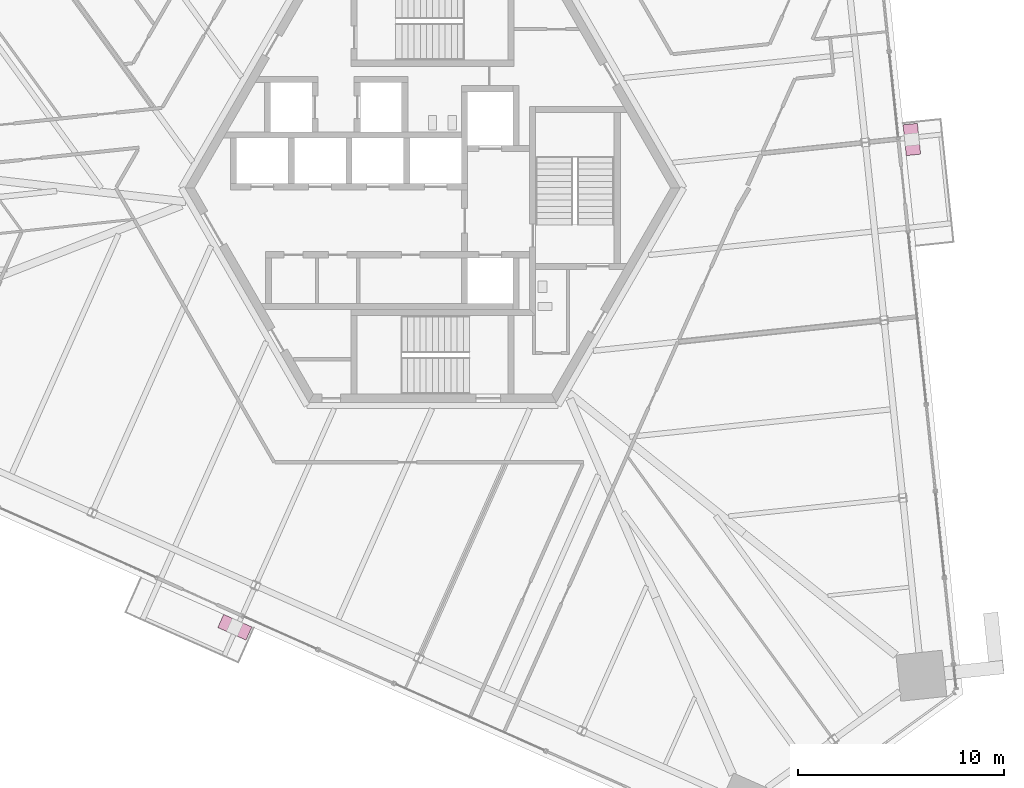
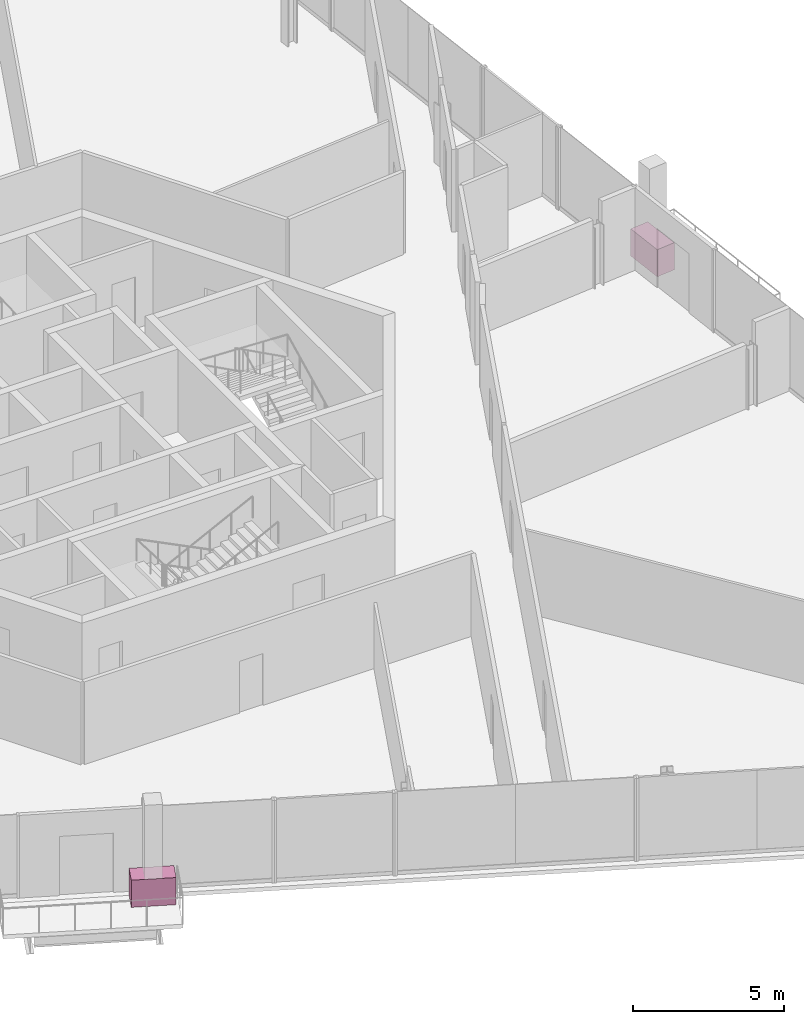
# One storey, part 24 of 25: 2 furniture elements.
"""IFC4 building model written with IfcOpenShell, lengths in metres."""

from ifc_helpers import new_model, si_unit, direction, frame, origin, origin_2d, place, context, subcontext, project, spatial, rectangle, extrude, source, transform, mapped, material, type_object, element, save


model = new_model("IFC4")

# Units and contexts
model_context = context("Model", 3, precision=1e-05, world=origin(), true_north=direction((0.0, 1.0)))
body_context = subcontext(model_context, "Body", "Model", "MODEL_VIEW")
ifc_project = project(units=[si_unit("LENGTHUNIT", "METRE"), si_unit("AREAUNIT", "SQUARE_METRE"), si_unit("VOLUMEUNIT", "CUBIC_METRE"), si_unit("PLANEANGLEUNIT", "RADIAN"), si_unit("MASSUNIT", "GRAM", prefix="KILO")], contexts=[model_context])

# Site, building, storey
site_placement = place(None, origin())
site = spatial("IfcSite", under=ifc_project, at=site_placement, CompositionType="ELEMENT")
building_placement = place(site_placement, origin())
building = spatial("IfcBuilding", under=site, at=building_placement, Name="Triune Harvest Tower", CompositionType="ELEMENT")
storey_placement = place(building_placement, frame((0.0, 0.0, 90.89990234375)))
storey = spatial("IfcBuildingStorey", under=building, at=storey_placement, Name="L22", CompositionType="ELEMENT", Elevation=90.89990234375)

# Furniture
ifc_material = material(Name="Concrete 40 MPa", Category="concrete")
furniture_type = type_object("IfcFurnitureType", Name="PB-1 structural planter", AssemblyPlace="SITE", PredefinedType="USERDEFINED", material=ifc_material)
shared_shape = source(origin(), body_context, "Body", "SweptSolid", [
    extrude(rectangle(XDim=1.5, YDim=0.699951171875, at=origin_2d()), origin(), (0.0, 0.0, 1.0), 1.10009765625),
])
for number, where, z_axis, x_axis, name in (
    (1, (23.2294921875, 2.34814453125, 0.0), (0.0, 0.0, 1.0), (-0.104527536558, 0.994521992769, 0.0), "Planter B2-F1 L22.6b"),
    (2, (-9.5810546875, -21.29150390625, 0.0), (0.0, 0.0, 1.0), (0.913545207137, -0.406737205721, 0.0), "Planter B2-F5 L22.6b"),
):
    element("IfcFurniture", number, at=place(storey_placement, frame(where, z_axis=z_axis, x_axis=x_axis)), inside=storey, type_object=furniture_type, Name=name, ObjectType="PLANTER", PredefinedType="USERDEFINED", context=body_context, shape_type="MappedRepresentation", body=[
        mapped(shared_shape, transform((0.0, 0.0, 0.0), scale=1.0)),
    ])

save(model, "model.ifc")
